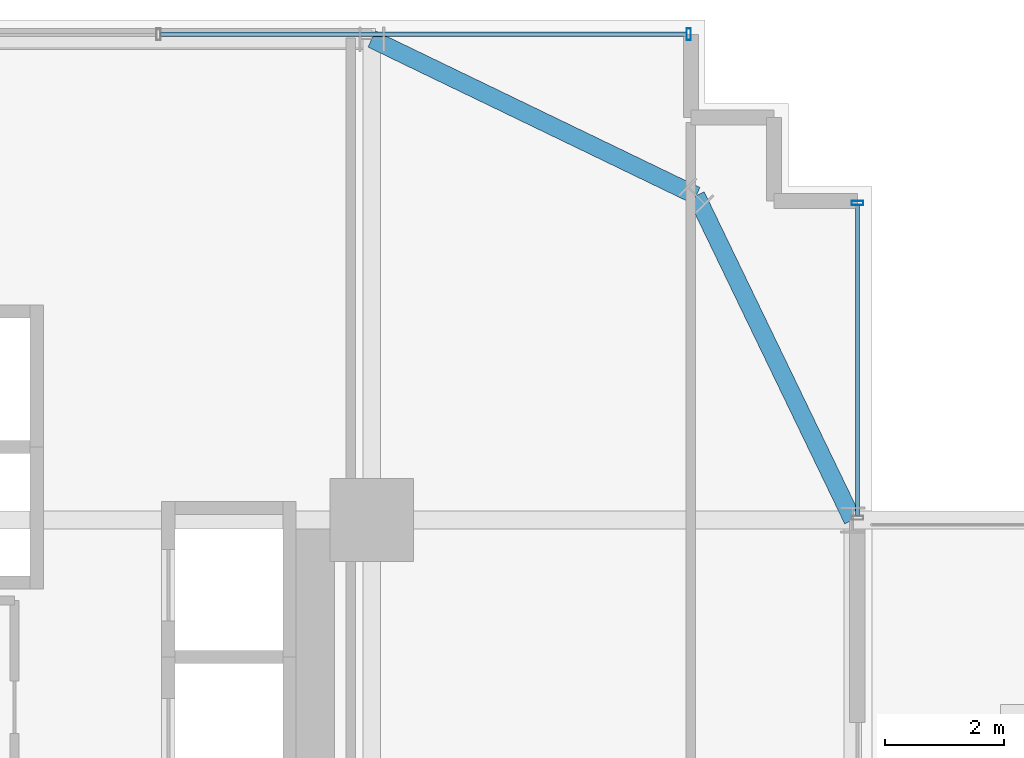
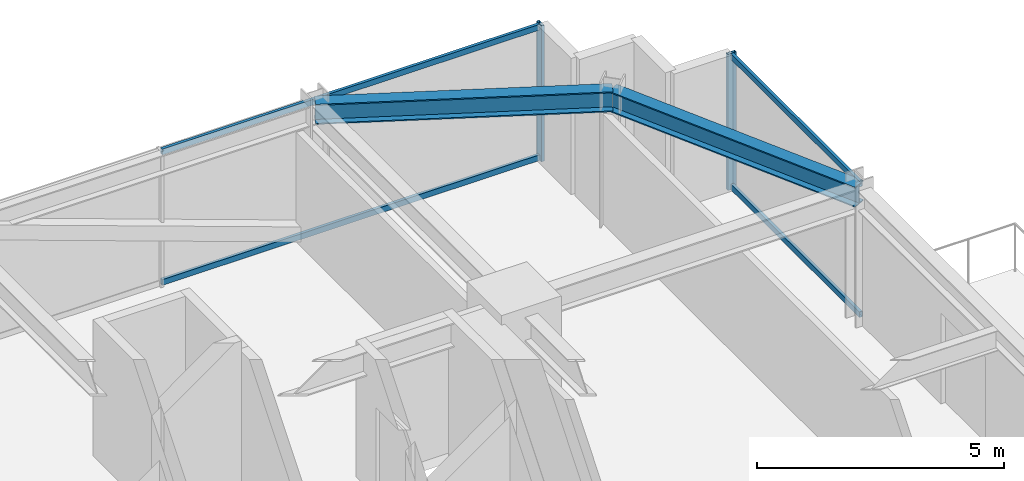
# One storey, part 33 of 43: 6 members, 2 beams, 2 elements without a shape of their own.
"""IFC4 building model written with IfcOpenShell, lengths in metres."""

import ifcopenshell
import ifcopenshell.guid

model = None  # the IFC model being written
_history = None  # IfcOwnerHistory: only IFC2X3 demands one
_inside = {}  # id of a spatial element -> (the spatial element, [elements in it])
_under = {}  # id of a project, library or spatial element -> (it, [spatial elements below it])
_declared = {}  # id of a project -> (the project, [libraries it declares])
_typed = {}  # id of a type object -> (the type object, [elements of that type])
_made_of = {}  # id of a material, layer set ... -> (it, [elements and type objects made of it])


def new_model(schema):
    """Start an empty IFC model of exactly this schema.

    Asked for "IFC4X3", IfcOpenShell would pick the latest addendum, in which some entities
    have other attributes; the version numbers below select the first issue.
    IFC2X3 requires an IfcOwnerHistory on every rooted entity: one is made here for all.
    """
    global model, _history
    if schema == "IFC4X3":
        model = ifcopenshell.file(schema_version=(4, 3, 0, 0))
    else:
        model = ifcopenshell.file(schema=schema)
    _inside.clear()
    _under.clear()
    _declared.clear()
    _typed.clear()
    _made_of.clear()
    _history = None
    if model.schema == "IFC2X3":
        org = make("IfcOrganization", Name="unknown")
        user = make(
            "IfcPersonAndOrganization",
            ThePerson=make("IfcPerson", FamilyName="unknown"),
            TheOrganization=org,
        )
        app = make(
            "IfcApplication",
            ApplicationDeveloper=org,
            Version="unknown",
            ApplicationFullName="unknown",
            ApplicationIdentifier="unknown",
        )
        _history = make(
            "IfcOwnerHistory",
            OwningUser=user,
            OwningApplication=app,
            ChangeAction="ADDED",
            CreationDate=0,
        )
    return model


def make(cls, **values):
    """One entity of the class cls with the attributes given. An attribute that is None is left unset."""
    return model.create_entity(
        cls, **{name: value for name, value in values.items() if value is not None}
    )


def rooted(cls, **values):
    """An entity with a GlobalId (a new one), such as an element, a storey or a relation."""
    return make(cls, GlobalId=ifcopenshell.guid.new(), OwnerHistory=_history, **values)


def si_unit(unit_type, name, prefix=None):
    """IfcSIUnit, for example si_unit("LENGTHUNIT", "METRE", prefix="MILLI")."""
    return make("IfcSIUnit", UnitType=unit_type, Prefix=prefix, Name=name)


def assignment(units):
    """IfcUnitAssignment: the units of a project."""
    return None if units is None else make("IfcUnitAssignment", Units=units)


def point(xyz):
    """IfcCartesianPoint."""
    return None if xyz is None else make("IfcCartesianPoint", Coordinates=xyz)


def direction(xyz):
    """IfcDirection."""
    return None if xyz is None else make("IfcDirection", DirectionRatios=xyz)


def frame(location, z_axis=None, x_axis=None):
    """IfcAxis2Placement3D, a coordinate frame: its origin and axes. An axis left out is left unset."""
    return make(
        "IfcAxis2Placement3D",
        Location=point(location),
        Axis=direction(z_axis),
        RefDirection=direction(x_axis),
    )


def frame_2d(location, x_axis=None):
    """IfcAxis2Placement2D, a coordinate frame in the plane: its origin and x axis."""
    return make(
        "IfcAxis2Placement2D", Location=point(location), RefDirection=direction(x_axis)
    )


def origin():
    """The frame at (0, 0, 0) with its axes left unset."""
    return frame((0.0, 0.0, 0.0))


def origin_2d():
    """The frame at (0, 0) in the plane with its x axis left unset."""
    return frame_2d((0.0, 0.0))


def place(relative_to, where):
    """IfcLocalPlacement: puts the frame where relative to a parent placement (None: the world)."""
    return make(
        "IfcLocalPlacement", PlacementRelTo=relative_to, RelativePlacement=where
    )


def context(
    kind, dimensions, precision=None, world=None, true_north=None, identifier=None
):
    """IfcGeometricRepresentationContext, for example the 3D "Model" context."""
    return make(
        "IfcGeometricRepresentationContext",
        ContextIdentifier=identifier,
        ContextType=kind,
        CoordinateSpaceDimension=dimensions,
        Precision=precision,
        WorldCoordinateSystem=world,
        TrueNorth=true_north,
    )


def subcontext(parent, identifier, kind, view, scale=None):
    """IfcGeometricRepresentationSubContext, for example "Body" below "Model"."""
    return make(
        "IfcGeometricRepresentationSubContext",
        ContextIdentifier=identifier,
        ContextType=kind,
        ParentContext=parent,
        TargetScale=scale,
        TargetView=view,
    )


def project(units=None, contexts=None):
    """IfcProject with its units and contexts."""
    return rooted(
        "IfcProject",
        Name="project",
        RepresentationContexts=contexts,
        UnitsInContext=assignment(units),
    )


def spatial(cls, under=None, at=None, **own):
    """A site, building, storey or space (cls), placed at a placement, below another one or the project."""
    s = rooted(cls, ObjectPlacement=at, **own)
    if under is not None:
        _under.setdefault(under.id(), (under, []))[1].append(s)
    return s


def profile(cls, at=None, kind="AREA", **sizes):
    """A parametric profile (cls). Its sizes go by their IFC names, for example OverallWidth=200.0."""
    return make(cls, ProfileType=kind, Position=at, **sizes)


def hollow_rectangle(**sizes):
    """IfcRectangleHollowProfileDef."""
    return profile("IfcRectangleHollowProfileDef", **sizes)


def i_section(**sizes):
    """IfcIShapeProfileDef."""
    return profile("IfcIShapeProfileDef", **sizes)


def extrude(swept, where, along, depth):
    """IfcExtrudedAreaSolid: the profile swept, set in the frame where, extruded along a direction by depth."""
    return make(
        "IfcExtrudedAreaSolid",
        SweptArea=swept,
        Position=where,
        ExtrudedDirection=direction(along),
        Depth=depth,
    )


def shape(context_of_items, identifier, shape_type, items):
    """IfcShapeRepresentation: the items that make up one representation, for example the "Body"."""
    return make(
        "IfcShapeRepresentation",
        ContextOfItems=context_of_items,
        RepresentationIdentifier=identifier,
        RepresentationType=shape_type,
        Items=items,
    )


def source(mapping_origin, context_of_items, identifier, shape_type, items):
    """IfcRepresentationMap: a shape defined once, which mapped items show again and again."""
    return make(
        "IfcRepresentationMap",
        MappingOrigin=mapping_origin,
        MappedRepresentation=shape(context_of_items, identifier, shape_type, items),
    )


def transform(
    local_origin,
    x_axis=None,
    y_axis=None,
    z_axis=None,
    scale=None,
    scale2=None,
    scale3=None,
    uniform=True,
):
    """IfcCartesianTransformationOperator3D, or its non-uniform kind. x_axis, y_axis, z_axis: its Axis1, 2, 3."""
    if uniform:
        return make(
            "IfcCartesianTransformationOperator3D",
            Axis1=direction(x_axis),
            Axis2=direction(y_axis),
            LocalOrigin=point(local_origin),
            Scale=scale,
            Axis3=direction(z_axis),
        )
    return make(
        "IfcCartesianTransformationOperator3DnonUniform",
        Axis1=direction(x_axis),
        Axis2=direction(y_axis),
        LocalOrigin=point(local_origin),
        Scale=scale,
        Axis3=direction(z_axis),
        Scale2=scale2,
        Scale3=scale3,
    )


def mapped(mapping_source, mapping_target):
    """IfcMappedItem: shows the shape of a source again, moved by a transform."""
    return make(
        "IfcMappedItem", MappingSource=mapping_source, MappingTarget=mapping_target
    )


def material(Name=None, Category=None):
    """IfcMaterial."""
    return make("IfcMaterial", Name=Name, Category=Category)


def material_profile(
    of_material, cross_section, Name=None, Category=None, Priority=None
):
    """IfcMaterialProfile: a cross section and its material."""
    return make(
        "IfcMaterialProfile",
        Name=Name,
        Material=of_material,
        Profile=cross_section,
        Priority=Priority,
        Category=Category,
    )


def profile_set(profiles, Name=None, composite=None):
    """IfcMaterialProfileSet."""
    return make(
        "IfcMaterialProfileSet",
        Name=Name,
        MaterialProfiles=profiles,
        CompositeProfile=composite,
    )


def made_of(thing, what):
    """Note that an element or type object is made of a material, layer set ...; save() writes the relation."""
    if what is not None:
        _made_of.setdefault(what.id(), (what, []))[1].append(thing)
    return thing


def type_object(cls, material=None, **own):
    """A type object (cls), such as IfcWallType, which elements share."""
    return made_of(rooted(cls, **own), material)


def element(
    cls,
    number,
    at=None,
    inside=None,
    cuts=None,
    type_object=None,
    material=None,
    context=None,
    identifier="Body",
    shape_type=None,
    held_by="IfcProductDefinitionShape",
    body=None,
    shapes=None,
    **own,
):
    """One element of the class cls, such as IfcWall. Its Tag is "e" and its number.

    at: its placement. inside: the storey or other place that contains it. cuts: it is an
    opening in that element (IfcRelVoidsElement). A single representation is given by context,
    identifier, shape_type and body (its items); several are given by shapes. held_by: the class
    of the entity that holds the representations. save() writes the other relations.
    """
    e = rooted(cls, Tag="e%d" % number, ObjectPlacement=at, **own)
    if body is not None:
        shapes = [shape(context, identifier, shape_type, body)]
    if shapes is not None:
        e.Representation = make(held_by, Representations=shapes)
    if inside is not None:
        _inside.setdefault(inside.id(), (inside, []))[1].append(e)
    if cuts is not None:
        rooted(
            "IfcRelVoidsElement", RelatingBuildingElement=cuts, RelatedOpeningElement=e
        )
    if type_object is not None:
        _typed.setdefault(type_object.id(), (type_object, []))[1].append(e)
    return made_of(e, material)


def aggregate(whole, parts):
    """IfcRelAggregates: a whole, such as a stair, and the parts it consists of."""
    return rooted("IfcRelAggregates", RelatingObject=whole, RelatedObjects=parts)


def save(model, path):
    """Write the relations noted so far, then the file.

    IfcRelAggregates (storeys below a building ...), IfcRelContainedInSpatialStructure (elements
    in a storey), IfcRelDefinesByType, IfcRelAssociatesMaterial and IfcRelDeclares: one each for
    every whole, place, type object, material and project.
    """
    for whole, parts in _under.values():
        aggregate(whole, parts)
    for where, things in _inside.values():
        rooted(
            "IfcRelContainedInSpatialStructure",
            RelatedElements=things,
            RelatingStructure=where,
        )
    for kind, things in _typed.values():
        rooted("IfcRelDefinesByType", RelatedObjects=things, RelatingType=kind)
    for what, things in _made_of.values():
        rooted("IfcRelAssociatesMaterial", RelatedObjects=things, RelatingMaterial=what)
    for by, libraries in _declared.values():
        rooted("IfcRelDeclares", RelatingContext=by, RelatedDefinitions=libraries)
    model.write(path)


model = new_model("IFC4")

# Units and contexts
model_context = context("Model", 3, precision=1e-05, world=origin(), true_north=direction((0.0, 1.0)))
body_context = subcontext(model_context, "Body", "Model", "MODEL_VIEW")
ifc_project = project(units=[si_unit("LENGTHUNIT", "METRE"), si_unit("AREAUNIT", "SQUARE_METRE"), si_unit("VOLUMEUNIT", "CUBIC_METRE"), si_unit("PLANEANGLEUNIT", "RADIAN"), si_unit("MASSUNIT", "GRAM", prefix="KILO")], contexts=[model_context])

# Site, building, storey
site_placement = place(None, origin())
site = spatial("IfcSite", under=ifc_project, at=site_placement, CompositionType="ELEMENT")
building_placement = place(site_placement, origin())
building = spatial("IfcBuilding", under=site, at=building_placement, Name="Nahalor Promenade Grand Hotel", CompositionType="ELEMENT")
storey_placement = place(building_placement, frame((0.0, 0.0, 57.949951171875)))
storey = spatial("IfcBuildingStorey", under=building, at=storey_placement, Name="L13", CompositionType="ELEMENT", Elevation=57.949951171875)

# Beams
ifc_material_1 = material(Name="Steel S355JR", Category="steel")
ifc_material_profile_1 = material_profile(ifc_material_1, i_section(OverallWidth=0.3, OverallDepth=0.5, WebThickness=0.0145, FlangeThickness=0.028, at=origin_2d()), Name="HEB 500")
ifc_profile_set_1 = profile_set([ifc_material_profile_1], Name="Steel S355JR")
beam_type = type_object("IfcBeamType", Name="Beam-Spandrel-HEB500", PredefinedType="SPANDREL", material=ifc_profile_set_1)
shared_shape_1 = source(origin(), body_context, "Body", "SweptSolid", [
    extrude(i_section(OverallWidth=0.3, OverallDepth=0.5, WebThickness=0.0145, FlangeThickness=0.028, at=origin_2d()), origin(), (0.0, 0.0, 1.0), 6.051513671875),
])
for number, where, z_axis, x_axis, name in (
    (1, (17.0, 25.080078125, 3.1201171875), (0.900608818852, -0.434630596492, 0.0), (0.434630596492, 0.900608818852, 0.0), "BM-L13-SPC-NE-1"),
    (2, (22.449951171875, 22.449951171875, 3.1201171875), (0.434630596492, -0.900608818852, 0.0), (0.900608818852, 0.434630596492, 0.0), "BM-L13-SPC-NE-2"),
):
    element("IfcBeam", number, at=place(storey_placement, frame(where, z_axis=z_axis, x_axis=x_axis)), inside=storey, type_object=beam_type, Name=name, PredefinedType="SPANDREL", context=body_context, shape_type="MappedRepresentation", body=[
        mapped(shared_shape_1, transform((0.0, 0.0, 0.0), scale=1.0)),
    ])

# Curtain wall, members
ifc_material_2 = material(Name="Anodised Bronze Aluminium EN AW-6063 T6", Category="aluminium")
curtain_wall_type = type_object("IfcCurtainWallType", Name="CW3 Elliptical-Void Collar Unitised Curtain Wall", PredefinedType="USERDEFINED", material=ifc_material_2)
curtain_wall_1_placement = place(storey_placement, origin())
curtain_wall_1 = element("IfcCurtainWall", 3, at=curtain_wall_1_placement, inside=storey, type_object=curtain_wall_type, Name="L13 Curtain Wall CW-L13-E-4", ObjectType="UNITISED_CURTAIN_WALL", PredefinedType="USERDEFINED")
ifc_material_profile_2 = material_profile(ifc_material_2, hollow_rectangle(XDim=0.07, YDim=0.14, WallThickness=0.004, at=origin_2d()), Name="CWT 70x140x4")
ifc_profile_set_2 = profile_set([ifc_material_profile_2], Name="Anodised Bronze Aluminium EN AW-6063 T6")
member_type_1 = type_object("IfcMemberType", Name="CWT3 Void Collar Transom 70x140", PredefinedType="USERDEFINED", material=ifc_profile_set_2)
shared_shape_2 = source(origin(), body_context, "Body", "SweptSolid", [
    extrude(hollow_rectangle(XDim=0.07, YDim=0.14, WallThickness=0.004, at=origin_2d()), origin(), (0.0, 0.0, 1.0), 5.219970703125),
])
member_1_placement = place(storey_placement, frame((25.159912109375, 17.070068359375, 0.070068359375), z_axis=(0.0, 1.0, 0.0), x_axis=(-1.0, 0.0, 0.0)))
member_1 = element("IfcMember", 4, at=member_1_placement, type_object=member_type_1, Name="CW-L13-E-4 Transom 0-0", ObjectType="TRANSOM", PredefinedType="USERDEFINED", context=body_context, shape_type="MappedRepresentation", body=[
    mapped(shared_shape_2, transform((0.0, 0.0, 0.0), scale=1.0)),
])
member_2_placement = place(storey_placement, frame((25.159912109375, 17.070068359375, 3.300048828125), z_axis=(0.0, 1.0, 0.0), x_axis=(-1.0, 0.0, 0.0)))
member_2 = element("IfcMember", 5, at=member_2_placement, type_object=member_type_1, Name="CW-L13-E-4 Transom 0-1", ObjectType="TRANSOM", PredefinedType="USERDEFINED", context=body_context, shape_type="MappedRepresentation", body=[
    mapped(shared_shape_2, transform((0.0, 0.0, 0.0), scale=1.0)),
])

curtain_wall_2_placement = place(storey_placement, origin())
curtain_wall_2 = element("IfcCurtainWall", 6, at=curtain_wall_2_placement, inside=storey, type_object=curtain_wall_type, Name="L13 Curtain Wall CW-L13-N-1", ObjectType="UNITISED_CURTAIN_WALL", PredefinedType="USERDEFINED")
shared_shape_3 = source(origin(), body_context, "Body", "SweptSolid", [
    extrude(hollow_rectangle(XDim=0.07, YDim=0.14, WallThickness=0.004, at=origin_2d()), origin(), (0.0, 0.0, 1.0), 8.839111328125),
])
member_3_placement = place(storey_placement, frame((13.450927734375, 25.159912109375, 0.070068359375), z_axis=(1.0, 0.0, 0.0), x_axis=(0.0, 1.0, 0.0)))
member_3 = element("IfcMember", 7, at=member_3_placement, type_object=member_type_1, Name="CW-L13-N-1 Transom 4-0", ObjectType="TRANSOM", PredefinedType="USERDEFINED", context=body_context, shape_type="MappedRepresentation", body=[
    mapped(shared_shape_3, transform((0.0, 0.0, 0.0), scale=1.0)),
])
member_4_placement = place(storey_placement, frame((13.450927734375, 25.159912109375, 3.300048828125), z_axis=(1.0, 0.0, 0.0), x_axis=(0.0, 1.0, 0.0)))
member_4 = element("IfcMember", 8, at=member_4_placement, type_object=member_type_1, Name="CW-L13-N-1 Transom 4-1", ObjectType="TRANSOM", PredefinedType="USERDEFINED", context=body_context, shape_type="MappedRepresentation", body=[
    mapped(shared_shape_3, transform((0.0, 0.0, 0.0), scale=1.0)),
])
ifc_material_profile_3 = material_profile(ifc_material_2, hollow_rectangle(XDim=0.07, YDim=0.2, WallThickness=0.005, at=origin_2d()), Name="CWM 70x200x5")
ifc_profile_set_3 = profile_set([ifc_material_profile_3], Name="Anodised Bronze Aluminium EN AW-6063 T6")
member_type_2 = type_object("IfcMemberType", Name="CWM3 Void Collar Mullion 70x200", PredefinedType="MULLION", material=ifc_profile_set_3)
shared_shape_4 = source(origin(), body_context, "Body", "SweptSolid", [
    extrude(hollow_rectangle(XDim=0.07, YDim=0.2, WallThickness=0.005, at=origin_2d()), origin(), (0.0, 0.0, 1.0), 3.3701171875),
])
member_5_placement = place(storey_placement, frame((22.324951171875, 25.159912109375, 0.0), z_axis=(0.0, 0.0, 1.0), x_axis=(1.0, 0.0, 0.0)))
member_5 = element("IfcMember", 9, at=member_5_placement, type_object=member_type_2, Name="CW-L13-N-1 Mullion 5", PredefinedType="MULLION", context=body_context, shape_type="MappedRepresentation", body=[
    mapped(shared_shape_4, transform((0.0, 0.0, 0.0), scale=1.0)),
])
aggregate(curtain_wall_2, [member_5, member_3, member_4])

# Member
member_6_placement = place(storey_placement, frame((25.159912109375, 22.324951171875, 0.0), z_axis=(0.0, 0.0, 1.0), x_axis=(0.0, 1.0, 0.0)))
member_6 = element("IfcMember", 10, at=member_6_placement, type_object=member_type_2, Name="CW-L13-E-4 Mullion 1", PredefinedType="MULLION", context=body_context, shape_type="MappedRepresentation", body=[
    mapped(shared_shape_4, transform((0.0, 0.0, 0.0), scale=1.0)),
])

aggregate(curtain_wall_1, [member_6, member_1, member_2])

save(model, "model.ifc")
